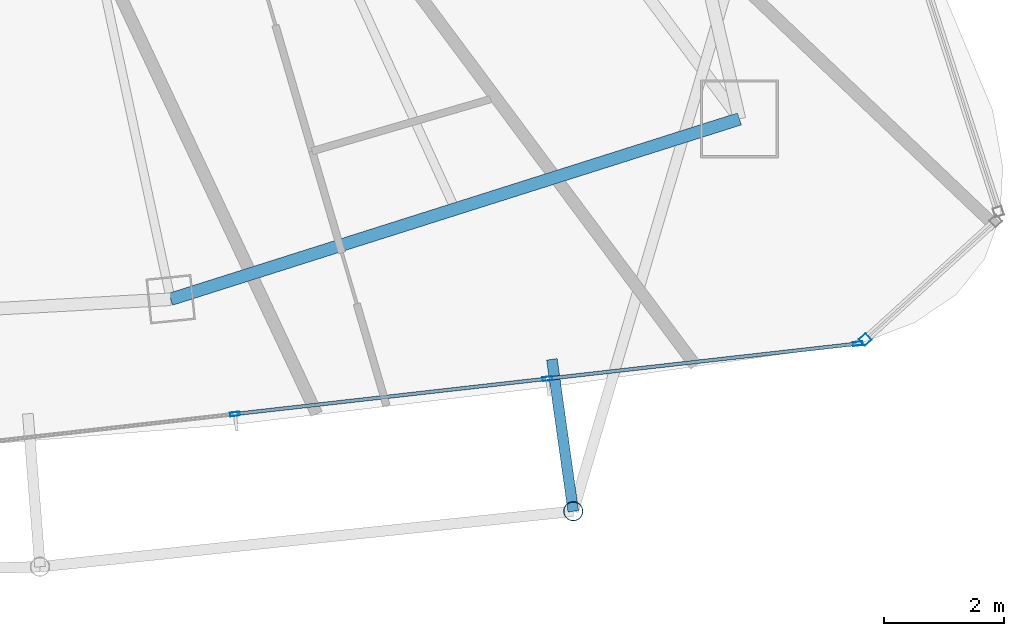
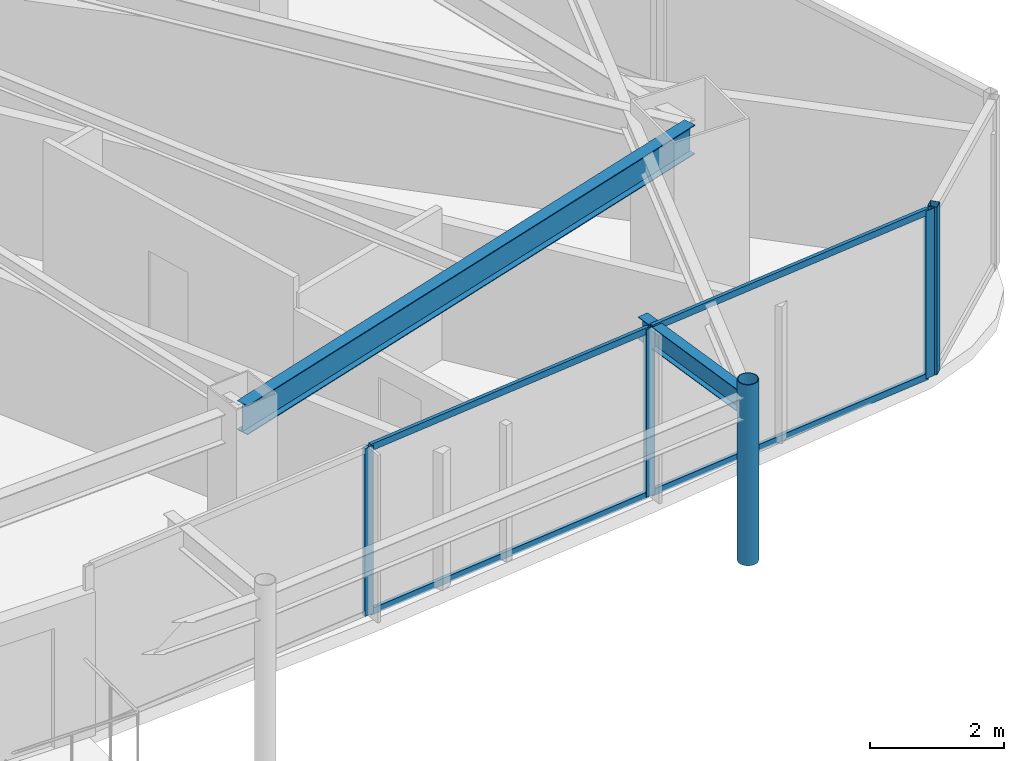
# One storey, part 14 of 32: 9 members, 2 beams, 2 elements without a shape of their own.
"""IFC4 building model written with IfcOpenShell, lengths in metres."""

from ifc_helpers import new_model, si_unit, direction, frame, origin, origin_2d, place, context, subcontext, project, spatial, hollow_rectangle, hollow_circle, i_section, extrude, material, layer, layer_set, material_profile, profile_set, type_object, element, aggregate, save


model = new_model("IFC4")

# Units and contexts
model_context = context("Model", 3, precision=1e-05, world=origin(), true_north=direction((0.0, 1.0)))
body_context = subcontext(model_context, "Body", "Model", "MODEL_VIEW")
ifc_project = project(units=[si_unit("LENGTHUNIT", "METRE"), si_unit("AREAUNIT", "SQUARE_METRE"), si_unit("VOLUMEUNIT", "CUBIC_METRE"), si_unit("PLANEANGLEUNIT", "RADIAN"), si_unit("MASSUNIT", "GRAM", prefix="KILO")], contexts=[model_context])

# Site, building, storey
site_placement = place(None, origin())
site = spatial("IfcSite", under=ifc_project, at=site_placement, CompositionType="ELEMENT")
building_placement = place(site_placement, origin())
building = spatial("IfcBuilding", under=site, at=building_placement, Name="Orvanel Arch Residences", CompositionType="ELEMENT")
storey_placement = place(building_placement, frame((0.0, 0.0, 216.199951171875)))
storey = spatial("IfcBuildingStorey", under=building, at=storey_placement, Name="L61", CompositionType="ELEMENT", Elevation=216.199951171875)

# Curtain wall, member
ifc_material_1 = material(Name="Bronze-anodised aluminium AA6063-T6", Category="aluminium")
ifc_layer_1 = layer(ifc_material_1, 0.18994140625)
ifc_layer_set_1 = layer_set([ifc_layer_1], Name="Bronze-anodised aluminium AA6063-T6")
curtain_wall_type_1 = type_object("IfcCurtainWallType", Name="CW5-CRN-SYS", PredefinedType="NOTDEFINED", material=ifc_layer_set_1)
curtain_wall_1_placement = place(storey_placement, origin())
curtain_wall_1 = element("IfcCurtainWall", 1, at=curtain_wall_1_placement, inside=storey, type_object=curtain_wall_type_1, Name="L61 CW5-CRN-SYS Unitised Curtain Wall", PredefinedType="NOTDEFINED")
ifc_material_profile_1 = material_profile(ifc_material_1, hollow_rectangle(XDim=0.14990234375, YDim=0.14990234375, WallThickness=0.0048828125, at=origin_2d()), Name="ALU150x150x5")
ifc_profile_set_1 = profile_set([ifc_material_profile_1], Name="Bronze-anodised aluminium AA6063-T6")
member_type_1 = type_object("IfcMemberType", Name="MUL-150x150", PredefinedType="MULLION", material=ifc_profile_set_1)
member_1_placement = place(storey_placement, frame((53.892578125, 6.6865234375, 0.0), z_axis=(0.0, 0.0, 1.0), x_axis=(-0.672365707037, 0.740219127016, 0.0)))
member_1 = element("IfcMember", 2, at=member_1_placement, type_object=member_type_1, Name="CW-S5 mullion 1", PredefinedType="MULLION", context=body_context, shape_type="SweptSolid", body=[
    extrude(hollow_rectangle(XDim=0.14990234375, YDim=0.14990234375, WallThickness=0.0048828125, at=origin_2d()), origin(), (0.0, 0.0, 1.0), 3.06005859375),
])
aggregate(curtain_wall_1, [member_1])

# Curtain wall, members
ifc_layer_2 = layer(ifc_material_1, 0.175048828125)
ifc_layer_set_2 = layer_set([ifc_layer_2], Name="Bronze-anodised aluminium AA6063-T6")
curtain_wall_type_2 = type_object("IfcCurtainWallType", Name="CW4-HI-SYS", PredefinedType="NOTDEFINED", material=ifc_layer_set_2)
curtain_wall_2_placement = place(storey_placement, origin())
curtain_wall_2 = element("IfcCurtainWall", 3, at=curtain_wall_2_placement, inside=storey, type_object=curtain_wall_type_2, Name="L61 CW4-HI-SYS Unitised Curtain Wall", PredefinedType="NOTDEFINED")
ifc_material_profile_2 = material_profile(ifc_material_1, hollow_rectangle(XDim=0.06494140625, YDim=0.159912109375, WallThickness=0.00390625, at=origin_2d()), Name="ALU160x65x4")
ifc_profile_set_2 = profile_set([ifc_material_profile_2], Name="Bronze-anodised aluminium AA6063-T6")
member_type_2 = type_object("IfcMemberType", Name="MUL-160x65", PredefinedType="MULLION", material=ifc_profile_set_2)
member_2_placement = place(storey_placement, frame((43.41796875, 5.44775390625, 0.0), z_axis=(0.0, 0.0, 1.0), x_axis=(-0.112279844711, 0.993676625705, 0.0)))
member_2 = element("IfcMember", 4, at=member_2_placement, type_object=member_type_2, Name="CW-S4 mullion 2", PredefinedType="MULLION", context=body_context, shape_type="SweptSolid", body=[
    extrude(hollow_rectangle(XDim=0.06494140625, YDim=0.159912109375, WallThickness=0.00390625, at=origin_2d()), origin(), (0.0, 0.0, 1.0), 3.06005859375),
])
member_3_placement = place(storey_placement, frame((48.610107421875, 6.034423828125, 0.0), z_axis=(0.0, 0.0, 1.0), x_axis=(-0.112279844711, 0.993676625705, 0.0)))
member_3 = element("IfcMember", 5, at=member_3_placement, type_object=member_type_2, Name="CW-S4 mullion 3", PredefinedType="MULLION", context=body_context, shape_type="SweptSolid", body=[
    extrude(hollow_rectangle(XDim=0.06494140625, YDim=0.159912109375, WallThickness=0.00390625, at=origin_2d()), origin(), (0.0, 0.0, 1.0), 3.06005859375),
])
member_4_placement = place(storey_placement, frame((53.769775390625, 6.617431640625, 0.0), z_axis=(0.0, 0.0, 1.0), x_axis=(-0.112279844711, 0.993676625705, 0.0)))
member_4 = element("IfcMember", 6, at=member_4_placement, type_object=member_type_2, Name="CW-S4 mullion 4", PredefinedType="MULLION", context=body_context, shape_type="SweptSolid", body=[
    extrude(hollow_rectangle(XDim=0.06494140625, YDim=0.159912109375, WallThickness=0.00390625, at=origin_2d()), origin(), (0.0, 0.0, 1.0), 3.06005859375),
])

# Beams
ifc_material_2 = material(Name="Structural steel AS/NZS 3679.1 Grade 300 (300 MPa)", Category="steel")
ifc_material_profile_3 = material_profile(ifc_material_2, i_section(OverallWidth=0.177978515625, OverallDepth=0.406005859375, WebThickness=0.0078125, FlangeThickness=0.0126953125, at=origin_2d()), Name="410UB59.7")
ifc_profile_set_3 = profile_set([ifc_material_profile_3], Name="Structural steel AS/NZS 3679.1 Grade 300 (300 MPa)")
beam_type_1 = type_object("IfcBeamType", Name="OB-410UB-EXT", PredefinedType="SPANDREL", material=ifc_profile_set_3)
beam_1_placement = place(storey_placement, frame((48.68505859375, 6.35693359375, 2.85693359375), z_axis=(0.139222555053, -0.990261117163, 0.0), x_axis=(0.990261117163, 0.139222555053, 0.0)))
element("IfcBeam", 7, at=beam_1_placement, inside=storey, type_object=beam_type_1, Name="L61 Outer Frame Radial Tie Beam 08", PredefinedType="SPANDREL", context=body_context, shape_type="SweptSolid", body=[
    extrude(i_section(OverallWidth=0.177978515625, OverallDepth=0.406005859375, WebThickness=0.0078125, FlangeThickness=0.0126953125, at=origin_2d()), origin(), (0.0, 0.0, 1.0), 2.5498046875),
])
ifc_material_profile_4 = material_profile(ifc_material_2, i_section(OverallWidth=0.208984375, OverallDepth=0.532958984375, WebThickness=0.01025390625, FlangeThickness=0.015625, at=origin_2d()), Name="530UB92.4")
ifc_profile_set_4 = profile_set([ifc_material_profile_4], Name="Structural steel AS/NZS 3679.1 Grade 300 (300 MPa)")
beam_type_2 = type_object("IfcBeamType", Name="SP-530UB", PredefinedType="SPANDREL", material=ifc_profile_set_4)
beam_2_placement = place(storey_placement, frame((42.35107421875, 7.35498046875, 2.79296875), z_axis=(0.953237386592, 0.302222574941, 0.0), x_axis=(-0.302222574941, 0.953237386592, 0.0)))
element("IfcBeam", 8, at=beam_2_placement, inside=storey, type_object=beam_type_2, Name="L61 Perimeter Spandrel Beam 05", PredefinedType="SPANDREL", context=body_context, shape_type="SweptSolid", body=[
    extrude(i_section(OverallWidth=0.208984375, OverallDepth=0.532958984375, WebThickness=0.01025390625, FlangeThickness=0.015625, at=origin_2d()), origin(), (0.0, 0.0, 1.0), 9.91357421875),
])

# Member
ifc_material_3 = material(Name="Structural steel AS/NZS 1163 C350L0 (Grade 350)", Category="steel")
ifc_material_profile_5 = material_profile(ifc_material_3, hollow_circle(Radius=0.162109375, WallThickness=0.0126953125, at=origin_2d()), Name="CHS324x12.7")
ifc_profile_set_5 = profile_set([ifc_material_profile_5], Name="Structural steel AS/NZS 1163 C350L0 (Grade 350)")
member_type_3 = type_object("IfcMemberType", Name="ST-324CHS-EXT", PredefinedType="STRUT", material=ifc_profile_set_5)
member_5_placement = place(storey_placement, frame((49.0400390625, 3.83203125, 0.0), z_axis=(0.0, 0.0, 1.0), x_axis=(1.0, 0.0, 0.0)))
element("IfcMember", 9, at=member_5_placement, inside=storey, type_object=member_type_3, Name="L61 Outer Perimeter Frame Post 08", PredefinedType="STRUT", context=body_context, shape_type="SweptSolid", body=[
    extrude(hollow_circle(Radius=0.162109375, WallThickness=0.0126953125, at=origin_2d()), origin(), (0.0, 0.0, 1.0), 3.300048828125),
])

ifc_material_profile_6 = material_profile(ifc_material_1, hollow_rectangle(XDim=0.06005859375, YDim=0.1201171875, WallThickness=0.00341796875, at=origin_2d()), Name="ALU120x60x3.5")
ifc_profile_set_6 = profile_set([ifc_material_profile_6], Name="Bronze-anodised aluminium AA6063-T6")
member_type_4 = type_object("IfcMemberType", Name="TRN-120x60", PredefinedType="USERDEFINED", material=ifc_profile_set_6)
member_6_placement = place(storey_placement, frame((43.4501953125, 5.451416015625, 0.030029296875), z_axis=(0.993677192338, 0.112274829893, 0.0), x_axis=(-0.112274829893, 0.993677192338, 0.0)))
member_6 = element("IfcMember", 10, at=member_6_placement, type_object=member_type_4, Name="CW-S4 transom 2.1", ObjectType="TRANSOM", PredefinedType="USERDEFINED", context=body_context, shape_type="SweptSolid", body=[
    extrude(hollow_rectangle(XDim=0.06005859375, YDim=0.1201171875, WallThickness=0.00341796875, at=origin_2d()), origin(), (0.0, 0.0, 1.0), 5.16015625),
])

member_7_placement = place(storey_placement, frame((43.4501953125, 5.451416015625, 3.030029296875), z_axis=(0.993677192338, 0.112274829893, 0.0), x_axis=(-0.112274829893, 0.993677192338, 0.0)))
member_7 = element("IfcMember", 11, at=member_7_placement, type_object=member_type_4, Name="CW-S4 transom 2.2", ObjectType="TRANSOM", PredefinedType="USERDEFINED", context=body_context, shape_type="SweptSolid", body=[
    extrude(hollow_rectangle(XDim=0.06005859375, YDim=0.1201171875, WallThickness=0.00341796875, at=origin_2d()), origin(), (0.0, 0.0, 1.0), 5.16015625),
])

member_8_placement = place(storey_placement, frame((48.642333984375, 6.0380859375, 0.030029296875), z_axis=(0.993677045887, 0.112276126034, 0.0), x_axis=(-0.112276126034, 0.993677045887, 0.0)))
member_8 = element("IfcMember", 12, at=member_8_placement, type_object=member_type_4, Name="CW-S4 transom 3.1", ObjectType="TRANSOM", PredefinedType="USERDEFINED", context=body_context, shape_type="SweptSolid", body=[
    extrude(hollow_rectangle(XDim=0.06005859375, YDim=0.1201171875, WallThickness=0.00341796875, at=origin_2d()), origin(), (0.0, 0.0, 1.0), 5.12744140625),
])

member_9_placement = place(storey_placement, frame((48.642333984375, 6.0380859375, 3.030029296875), z_axis=(0.993677045887, 0.112276126034, 0.0), x_axis=(-0.112276126034, 0.993677045887, 0.0)))
member_9 = element("IfcMember", 13, at=member_9_placement, type_object=member_type_4, Name="CW-S4 transom 3.2", ObjectType="TRANSOM", PredefinedType="USERDEFINED", context=body_context, shape_type="SweptSolid", body=[
    extrude(hollow_rectangle(XDim=0.06005859375, YDim=0.1201171875, WallThickness=0.00341796875, at=origin_2d()), origin(), (0.0, 0.0, 1.0), 5.12744140625),
])

aggregate(curtain_wall_2, [member_2, member_3, member_4, member_6, member_7, member_8, member_9])

save(model, "model.ifc")
